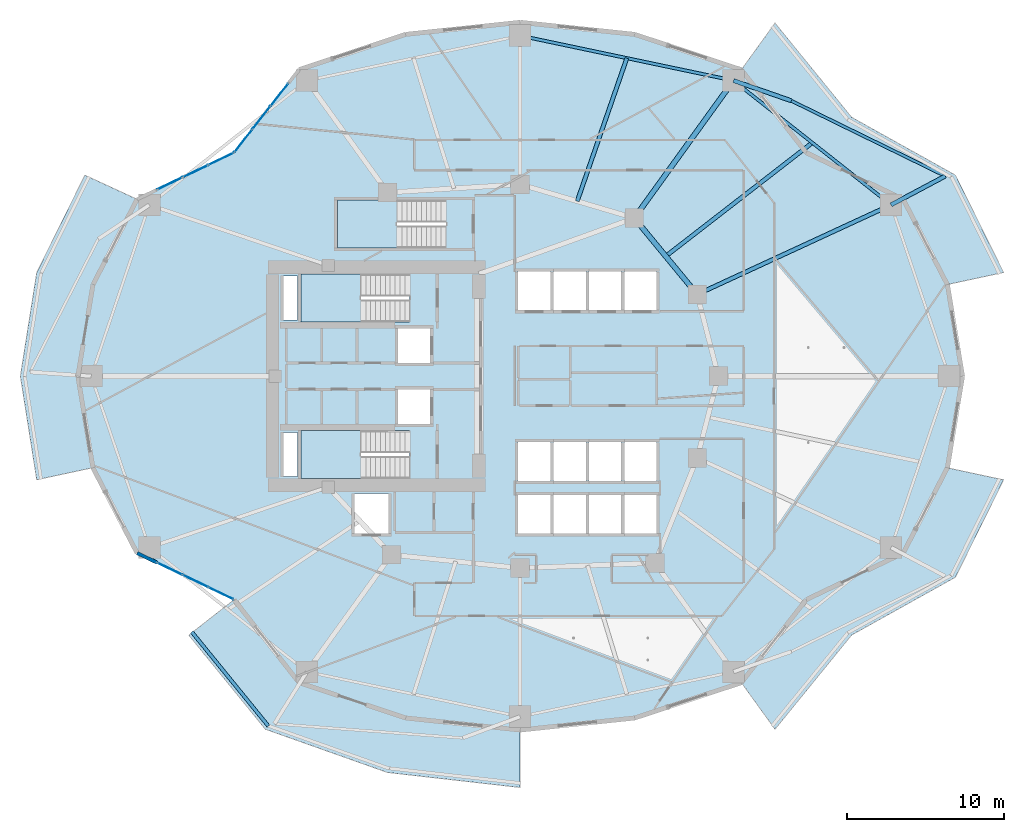
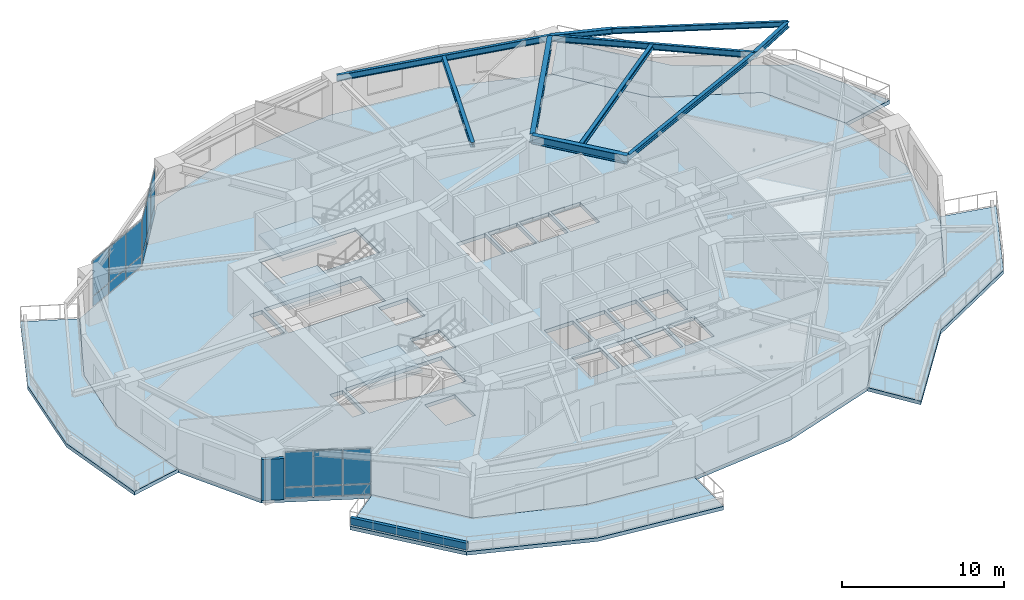
# One storey, part 5 of 19: 21 plates, 10 beams, 8 slabs, 2 walls, 6 elements without a shape of their own.
"""IFC4 building model written with IfcOpenShell, lengths in metres."""

from ifc_helpers import new_model, si_unit, direction, frame, frame_2d, origin, origin_2d, place, context, subcontext, project, spatial, polyline, rectangle, i_section, outline, extrude, material, layer, layer_set, material_profile, profile_set, type_object, element, aggregate, save


model = new_model("IFC4")

# Units and contexts
model_context = context("Model", 3, precision=1e-05, world=origin(), true_north=direction((0.0, 1.0)))
body_context = subcontext(model_context, "Body", "Model", "MODEL_VIEW")
ifc_project = project(units=[si_unit("LENGTHUNIT", "METRE"), si_unit("AREAUNIT", "SQUARE_METRE"), si_unit("VOLUMEUNIT", "CUBIC_METRE"), si_unit("PLANEANGLEUNIT", "RADIAN"), si_unit("MASSUNIT", "GRAM", prefix="KILO")], contexts=[model_context])

# Site, building, storey
site_placement = place(None, origin())
site = spatial("IfcSite", under=ifc_project, at=site_placement, CompositionType="ELEMENT")
building_placement = place(site_placement, origin())
building = spatial("IfcBuilding", under=site, at=building_placement, Name="Kolvaren Gate Tower and Convention Centre", CompositionType="ELEMENT")
storey_placement = place(building_placement, frame((0.0, 0.0, 38.050048828125)))
storey = spatial("IfcBuildingStorey", under=building, at=storey_placement, Name="L08", CompositionType="ELEMENT", Elevation=38.050048828125)

# Beams
ifc_material_1 = material(Name="Structural steel ASTM A992 Grade 345 MPa", Category="steel")
ifc_material_profile_1 = material_profile(ifc_material_1, i_section(OverallWidth=0.260009765625, OverallDepth=0.419921875, WebThickness=0.013427734375, FlangeThickness=0.0224609375, at=origin_2d()), Name="W410X132")
ifc_profile_set_1 = profile_set([ifc_material_profile_1], Name="Structural steel ASTM A992 Grade 345 MPa")
beam_type_1 = type_object("IfcBeamType", Name="STR-BM-W410X132", PredefinedType="BEAM", material=ifc_profile_set_1)
beam_1_placement = place(storey_placement, frame((53.710205078125, 37.8935546875, 3.3603515625), z_axis=(0.882875702385, 0.469606744136, 0.0), x_axis=(-0.469606744136, 0.882875702385, 0.0)))
element("IfcBeam", 1, at=beam_1_placement, inside=storey, type_object=beam_type_1, Name="Tower L09 Planted Balcony Outrigger Cantilever BC-1A", PredefinedType="BEAM", context=body_context, shape_type="SweptSolid", body=[
    extrude(i_section(OverallWidth=0.260009765625, OverallDepth=0.419921875, WebThickness=0.013427734375, FlangeThickness=0.0224609375, at=origin_2d()), origin(), (0.0, 0.0, 1.0), 3.900146484375),
])
beam_2_placement = place(storey_placement, frame((43.690185546875, 45.79638671875, 3.3603515625), z_axis=(0.943988090262, -0.329979522765, 0.0), x_axis=(0.329979522765, 0.943988090262, 0.0)))
element("IfcBeam", 2, at=beam_2_placement, inside=storey, type_object=beam_type_1, Name="Tower L09 Planted Balcony Outrigger Cantilever BC-1B", PredefinedType="BEAM", context=body_context, shape_type="SweptSolid", body=[
    extrude(i_section(OverallWidth=0.260009765625, OverallDepth=0.419921875, WebThickness=0.013427734375, FlangeThickness=0.0224609375, at=origin_2d()), origin(), (0.0, 0.0, 1.0), 3.89990234375),
])
ifc_material_profile_2 = material_profile(ifc_material_1, i_section(OverallWidth=0.327880859375, OverallDepth=0.6279296875, WebThickness=0.0166015625, FlangeThickness=0.027587890625, at=origin_2d()), Name="W610X217")
ifc_profile_set_2 = profile_set([ifc_material_profile_2], Name="Structural steel ASTM A992 Grade 345 MPa")
beam_type_2 = type_object("IfcBeamType", Name="STR-BM-W610X217", PredefinedType="BEAM", material=ifc_profile_set_2)
beam_3_placement = place(storey_placement, frame((41.382080078125, 32.199462890625, 3.255859375), z_axis=(-0.635884066011, 0.771784590798, 0.0), x_axis=(-0.771784590798, -0.635884066011, 0.0)))
element("IfcBeam", 3, at=beam_3_placement, inside=storey, type_object=beam_type_2, Name="Tower L08 Primary Ring Girder G-02", PredefinedType="BEAM", context=body_context, shape_type="SweptSolid", body=[
    extrude(i_section(OverallWidth=0.327880859375, OverallDepth=0.6279296875, WebThickness=0.0166015625, FlangeThickness=0.027587890625, at=origin_2d()), origin(), (0.0, 0.0, 1.0), 6.291259765625),
])
beam_4_placement = place(storey_placement, frame((37.381591796875, 37.054931640625, 3.255859375), z_axis=(0.585205244783, 0.81088520857, 0.0), x_axis=(-0.81088520857, 0.585205244783, 0.0)))
element("IfcBeam", 4, at=beam_4_placement, inside=storey, type_object=beam_type_2, Name="Tower L08 Radial Floor Girder RB-03", PredefinedType="BEAM", context=body_context, shape_type="SweptSolid", body=[
    extrude(i_section(OverallWidth=0.327880859375, OverallDepth=0.6279296875, WebThickness=0.0166015625, FlangeThickness=0.027587890625, at=origin_2d()), origin(), (0.0, 0.0, 1.0), 10.780029296875),
])
ifc_material_profile_3 = material_profile(ifc_material_1, i_section(OverallWidth=0.2548828125, OverallDepth=0.35693359375, WebThickness=0.010498046875, FlangeThickness=0.018310546875, at=origin_2d()), Name="W360X101")
ifc_profile_set_3 = profile_set([ifc_material_profile_3], Name="Structural steel ASTM A992 Grade 345 MPa")
beam_type_3 = type_object("IfcBeamType", Name="STR-JS-W360X101", PredefinedType="JOIST", material=ifc_profile_set_3)
beam_5_placement = place(storey_placement, frame((41.382080078125, 32.199462890625, 3.391357421875), z_axis=(0.907842006347, 0.419312403241, 0.0), x_axis=(-0.419312403241, 0.907842006347, 0.0)))
element("IfcBeam", 5, at=beam_5_placement, inside=storey, type_object=beam_type_3, Name="Tower L08 Radial Floor Girder RB-02", PredefinedType="JOIST", context=body_context, shape_type="SweptSolid", body=[
    extrude(i_section(OverallWidth=0.2548828125, OverallDepth=0.35693359375, WebThickness=0.010498046875, FlangeThickness=0.018310546875, at=origin_2d()), origin(), (0.0, 0.0, 1.0), 13.57958984375),
])
beam_6_placement = place(storey_placement, frame((39.3818359375, 34.627197265625, 3.391357421875), z_axis=(0.790577493994, 0.612362005671, 0.0), x_axis=(-0.612362005671, 0.790577493994, 0.0)))
element("IfcBeam", 6, at=beam_6_placement, inside=storey, type_object=beam_type_3, Name="Tower L08 Secondary Composite Floor Joist J-02.1", PredefinedType="JOIST", context=body_context, shape_type="SweptSolid", body=[
    extrude(i_section(OverallWidth=0.2548828125, OverallDepth=0.35693359375, WebThickness=0.010498046875, FlangeThickness=0.018310546875, at=origin_2d()), origin(), (0.0, 0.0, 1.0), 11.786865234375),
])
beam_7_placement = place(storey_placement, frame((33.75341796875, 38.12744140625, 3.391357421875), z_axis=(0.327647050942, 0.944800195813, 0.0), x_axis=(-0.944800195813, 0.327647050942, 0.0)))
element("IfcBeam", 7, at=beam_7_placement, inside=storey, type_object=beam_type_3, Name="Tower L08 Secondary Composite Floor Joist J-03.1", PredefinedType="JOIST", context=body_context, shape_type="SweptSolid", body=[
    extrude(i_section(OverallWidth=0.2548828125, OverallDepth=0.35693359375, WebThickness=0.010498046875, FlangeThickness=0.018310546875, at=origin_2d()), origin(), (0.0, 0.0, 1.0), 9.627197265625),
])
ifc_material_profile_4 = material_profile(ifc_material_1, i_section(OverallWidth=0.180908203125, OverallDepth=0.4169921875, WebThickness=0.010986328125, FlangeThickness=0.018310546875, at=origin_2d()), Name="W410X85")
ifc_profile_set_4 = profile_set([ifc_material_profile_4], Name="Structural steel ASTM A992 Grade 345 MPa")
beam_type_4 = type_object("IfcBeamType", Name="STR-SP-W410X85", PredefinedType="SPANDREL", material=ifc_profile_set_4)
beam_8_placement = place(storey_placement, frame((57.153564453125, 39.72509765625, 3.362060546875), z_axis=(-0.898307480686, 0.43936735216, 0.0), x_axis=(-0.43936735216, -0.898307480686, 0.0)))
element("IfcBeam", 8, at=beam_8_placement, inside=storey, type_object=beam_type_4, Name="Tower L09 Planted Balcony Header Tie Beam BT-1", PredefinedType="SPANDREL", context=body_context, shape_type="SweptSolid", body=[
    extrude(i_section(OverallWidth=0.180908203125, OverallDepth=0.4169921875, WebThickness=0.010986328125, FlangeThickness=0.018310546875, at=origin_2d()), origin(), (0.0, 0.0, 1.0), 10.889404296875),
])
ifc_material_profile_5 = material_profile(ifc_material_1, i_section(OverallWidth=0.194091796875, OverallDepth=0.468994140625, WebThickness=0.0126953125, FlangeThickness=0.0205078125, at=origin_2d()), Name="W460X106")
ifc_profile_set_5 = profile_set([ifc_material_profile_5], Name="Structural steel ASTM A992 Grade 345 MPa")
beam_type_5 = type_object("IfcBeamType", Name="STR-SP-W460X106", PredefinedType="SPANDREL", material=ifc_profile_set_5)
beam_9_placement = place(storey_placement, frame((53.710205078125, 37.8935546875, 3.33544921875), z_axis=(-0.785176498861, 0.619272044933, 0.0), x_axis=(-0.619272044933, -0.785176498861, 0.0)))
element("IfcBeam", 9, at=beam_9_placement, inside=storey, type_object=beam_type_5, Name="Tower L08 Perimeter Spandrel Beam SP-02", PredefinedType="SPANDREL", context=body_context, shape_type="SweptSolid", body=[
    extrude(i_section(OverallWidth=0.194091796875, OverallDepth=0.468994140625, WebThickness=0.0126953125, FlangeThickness=0.0205078125, at=origin_2d()), origin(), (0.0, 0.0, 1.0), 12.761474609375),
])
beam_10_placement = place(storey_placement, frame((43.690185546875, 45.79638671875, 3.33544921875), z_axis=(-0.978583407863, 0.205850707685, 0.0), x_axis=(-0.205850707685, -0.978583407863, 0.0)))
element("IfcBeam", 10, at=beam_10_placement, inside=storey, type_object=beam_type_5, Name="Tower L08 Perimeter Spandrel Beam SP-03", PredefinedType="SPANDREL", context=body_context, shape_type="SweptSolid", body=[
    extrude(i_section(OverallWidth=0.194091796875, OverallDepth=0.468994140625, WebThickness=0.0126953125, FlangeThickness=0.0205078125, at=origin_2d()), origin(), (0.0, 0.0, 1.0), 13.862060546875),
])

# Plates
ifc_material_2 = material(Name="Perforated Anodized Bronze Aluminium Sheet 6 mm", Category="aluminium")
ifc_layer_1 = layer(ifc_material_2, 0.011962890625)
ifc_layer_set_1 = layer_set([ifc_layer_1], Name="Perforated Anodized Bronze Aluminium Sheet 6 mm")
plate_type_1 = type_object("IfcPlateType", Name="ARCH-PL-SCREEN-PERF", PredefinedType="SHEET", material=ifc_layer_set_1)
for number, where, z_axis, x_axis, name in (
    (11, (13.99853515625, 43.84912109375, 2.72998046875), (0.0, 0.0, 1.0), (0.616424499081, 0.787414018756, 0.0), "Tower L08 Perforated Bronze Solar Screen SS-08"),
    (12, (8.851318359375, 39.7314453125, 2.72998046875), (0.0, 0.0, 1.0), (0.90136443672, 0.433061372343, 0.0), "Tower L08 Perforated Bronze Solar Screen SS-09"),
    (13, (8.851318359375, 14.2685546875, 2.72998046875), (0.0, 0.0, 1.0), (0.90136443672, -0.433061372343, 0.0), "Tower L08 Perforated Bronze Solar Screen SS-14"),
):
    element("IfcPlate", number, at=place(storey_placement, frame(where, z_axis=z_axis, x_axis=x_axis)), inside=storey, type_object=plate_type_1, Name=name, PredefinedType="SHEET", context=body_context, shape_type="SweptSolid", body=[
        extrude(rectangle(XDim=2.60009765625, YDim=0.011962890625, at=origin_2d()), origin(), (0.0, 0.0, 1.0), 0.840087890625),
    ])

# Curtain wall, plates
ifc_material_3 = material(Name="Anodized Architectural Aluminium Alloy 6063-T6", Category="aluminium")
ifc_layer_2 = layer(ifc_material_3, 0.159912109375)
ifc_layer_set_2 = layer_set([ifc_layer_2], Name="Anodized Architectural Aluminium Alloy 6063-T6")
curtain_wall_type = type_object("IfcCurtainWallType", Name="CW-OFF-UNIT", PredefinedType="NOTDEFINED", material=ifc_layer_set_2)
curtain_wall_1_placement = place(storey_placement, origin())
curtain_wall_1 = element("IfcCurtainWall", 14, at=curtain_wall_1_placement, inside=storey, type_object=curtain_wall_type, Name="Tower L08 Unitised Curtain Wall CW-OFF-UNIT Bay 08", PredefinedType="NOTDEFINED")
ifc_material_4 = material(Name="Low-E Triple Insulated Glazing Unit 44 mm", Category="glass")
ifc_layer_3 = layer(ifc_material_4, 0.0439453125)
ifc_layer_set_3 = layer_set([ifc_layer_3], Name="Low-E Triple Insulated Glazing Unit 44 mm")
plate_type_2 = type_object("IfcPlateType", Name="CW-PL-IGU-44", PredefinedType="CURTAIN_PANEL", material=ifc_layer_set_3)
plate_1_placement = place(storey_placement, frame((12.522216796875, 41.963134765625, 0.88232421875), z_axis=(0.0, 0.0, 1.0), x_axis=(0.616421003276, 0.787416755422, 0.0)))
plate_1 = element("IfcPlate", 15, at=plate_1_placement, type_object=plate_type_2, Name="CW-02 panel 1.2", PredefinedType="CURTAIN_PANEL", context=body_context, shape_type="SweptSolid", body=[
    extrude(rectangle(XDim=1.77587890625, YDim=0.0439453125, at=origin_2d()), origin(), (0.0, 0.0, 1.0), 2.62255859375),
])
plate_2_placement = place(storey_placement, frame((13.666748046875, 43.425537109375, 0.88232421875), z_axis=(0.0, 0.0, 1.0), x_axis=(0.616421003276, 0.787416755422, 0.0)))
plate_2 = element("IfcPlate", 16, at=plate_2_placement, type_object=plate_type_2, Name="CW-02 panel 2.2", PredefinedType="CURTAIN_PANEL", context=body_context, shape_type="SweptSolid", body=[
    extrude(rectangle(XDim=1.808349609375, YDim=0.0439453125, at=origin_2d()), origin(), (0.0, 0.0, 1.0), 2.62255859375),
])
plate_3_placement = place(storey_placement, frame((14.8115234375, 44.8876953125, 0.88232421875), z_axis=(0.0, 0.0, 1.0), x_axis=(0.616421003276, 0.787416755422, 0.0)))
plate_3 = element("IfcPlate", 17, at=plate_3_placement, type_object=plate_type_2, Name="CW-02 panel 3.2", PredefinedType="CURTAIN_PANEL", context=body_context, shape_type="SweptSolid", body=[
    extrude(rectangle(XDim=1.77587890625, YDim=0.0439453125, at=origin_2d()), origin(), (0.0, 0.0, 1.0), 2.62255859375),
])

curtain_wall_2_placement = place(storey_placement, origin())
curtain_wall_2 = element("IfcCurtainWall", 18, at=curtain_wall_2_placement, inside=storey, type_object=curtain_wall_type, Name="Tower L08 Unitised Curtain Wall CW-OFF-UNIT Bay 09", PredefinedType="NOTDEFINED")
plate_4_placement = place(storey_placement, frame((7.84765625, 39.249267578125, 0.88232421875), z_axis=(0.0, 0.0, 1.0), x_axis=(0.901366679942, 0.433056703319, 0.0)))
plate_4 = element("IfcPlate", 19, at=plate_4_placement, type_object=plate_type_2, Name="CW-02 panel 1.2", PredefinedType="CURTAIN_PANEL", context=body_context, shape_type="SweptSolid", body=[
    extrude(rectangle(XDim=1.72265625, YDim=0.0439453125, at=origin_2d()), origin(), (0.0, 0.0, 1.0), 2.62255859375),
])
plate_5_placement = place(storey_placement, frame((9.4736328125, 40.030517578125, 0.88232421875), z_axis=(0.0, 0.0, 1.0), x_axis=(0.901366679942, 0.433056703319, 0.0)))
plate_5 = element("IfcPlate", 20, at=plate_5_placement, type_object=plate_type_2, Name="CW-02 panel 2.2", PredefinedType="CURTAIN_PANEL", context=body_context, shape_type="SweptSolid", body=[
    extrude(rectangle(XDim=1.755126953125, YDim=0.0439453125, at=origin_2d()), origin(), (0.0, 0.0, 1.0), 2.62255859375),
])
plate_6_placement = place(storey_placement, frame((11.099853515625, 40.811767578125, 0.88232421875), z_axis=(0.0, 0.0, 1.0), x_axis=(0.901366679942, 0.433056703319, 0.0)))
plate_6 = element("IfcPlate", 21, at=plate_6_placement, type_object=plate_type_2, Name="CW-02 panel 3.2", PredefinedType="CURTAIN_PANEL", context=body_context, shape_type="SweptSolid", body=[
    extrude(rectangle(XDim=1.72265625, YDim=0.0439453125, at=origin_2d()), origin(), (0.0, 0.0, 1.0), 2.62255859375),
])

curtain_wall_3_placement = place(storey_placement, origin())
curtain_wall_3 = element("IfcCurtainWall", 22, at=curtain_wall_3_placement, inside=storey, type_object=curtain_wall_type, Name="Tower L08 Unitised Curtain Wall CW-OFF-UNIT Bay 14", PredefinedType="NOTDEFINED")
plate_7_placement = place(storey_placement, frame((7.84765625, 14.750732421875, 0.88232421875), z_axis=(0.0, 0.0, 1.0), x_axis=(0.901366679942, -0.433056703319, 0.0)))
plate_7 = element("IfcPlate", 23, at=plate_7_placement, type_object=plate_type_2, Name="CW-02 panel 1.2", PredefinedType="CURTAIN_PANEL", context=body_context, shape_type="SweptSolid", body=[
    extrude(rectangle(XDim=1.72265625, YDim=0.0439453125, at=origin_2d()), origin(), (0.0, 0.0, 1.0), 2.62255859375),
])
plate_8_placement = place(storey_placement, frame((9.4736328125, 13.969482421875, 0.88232421875), z_axis=(0.0, 0.0, 1.0), x_axis=(0.901366679942, -0.433056703319, 0.0)))
plate_8 = element("IfcPlate", 24, at=plate_8_placement, type_object=plate_type_2, Name="CW-02 panel 2.2", PredefinedType="CURTAIN_PANEL", context=body_context, shape_type="SweptSolid", body=[
    extrude(rectangle(XDim=1.755126953125, YDim=0.0439453125, at=origin_2d()), origin(), (0.0, 0.0, 1.0), 2.62255859375),
])
plate_9_placement = place(storey_placement, frame((11.099853515625, 13.188232421875, 0.88232421875), z_axis=(0.0, 0.0, 1.0), x_axis=(0.901366679942, -0.433056703319, 0.0)))
plate_9 = element("IfcPlate", 25, at=plate_9_placement, type_object=plate_type_2, Name="CW-02 panel 3.2", PredefinedType="CURTAIN_PANEL", context=body_context, shape_type="SweptSolid", body=[
    extrude(rectangle(XDim=1.72265625, YDim=0.0439453125, at=origin_2d()), origin(), (0.0, 0.0, 1.0), 2.62255859375),
])

# Plate
ifc_material_5 = material(Name="Solar-Control Laminated Curtain Glazing 36 mm", Category="glass")
ifc_layer_4 = layer(ifc_material_5, 0.035888671875)
ifc_layer_set_4 = layer_set([ifc_layer_4], Name="Solar-Control Laminated Curtain Glazing 36 mm")
plate_type_3 = type_object("IfcPlateType", Name="CW-PL-SPAN-36", PredefinedType="CURTAIN_PANEL", material=ifc_layer_set_4)
plate_10_placement = place(storey_placement, frame((12.522216796875, 41.963134765625, 0.06494140625), z_axis=(0.0, 0.0, 1.0), x_axis=(0.616421003276, 0.787416755422, 0.0)))
plate_10 = element("IfcPlate", 26, at=plate_10_placement, type_object=plate_type_3, Name="CW-02 panel 1.1", PredefinedType="CURTAIN_PANEL", context=body_context, shape_type="SweptSolid", body=[
    extrude(rectangle(XDim=1.77587890625, YDim=0.035888671875, at=origin_2d()), origin(), (0.0, 0.0, 1.0), 0.75244140625),
])

plate_11_placement = place(storey_placement, frame((13.666748046875, 43.425537109375, 0.06494140625), z_axis=(0.0, 0.0, 1.0), x_axis=(0.616421003276, 0.787416755422, 0.0)))
plate_11 = element("IfcPlate", 27, at=plate_11_placement, type_object=plate_type_3, Name="CW-02 panel 2.1", PredefinedType="CURTAIN_PANEL", context=body_context, shape_type="SweptSolid", body=[
    extrude(rectangle(XDim=1.808349609375, YDim=0.035888671875, at=origin_2d()), origin(), (0.0, 0.0, 1.0), 0.75244140625),
])

plate_12_placement = place(storey_placement, frame((14.8115234375, 44.8876953125, 0.06494140625), z_axis=(0.0, 0.0, 1.0), x_axis=(0.616421003276, 0.787416755422, 0.0)))
plate_12 = element("IfcPlate", 28, at=plate_12_placement, type_object=plate_type_3, Name="CW-02 panel 3.1", PredefinedType="CURTAIN_PANEL", context=body_context, shape_type="SweptSolid", body=[
    extrude(rectangle(XDim=1.77587890625, YDim=0.035888671875, at=origin_2d()), origin(), (0.0, 0.0, 1.0), 0.75244140625),
])

aggregate(curtain_wall_1, [plate_10, plate_1, plate_11, plate_2, plate_12, plate_3])

plate_13_placement = place(storey_placement, frame((7.84765625, 39.249267578125, 0.06494140625), z_axis=(0.0, 0.0, 1.0), x_axis=(0.901366679942, 0.433056703319, 0.0)))
plate_13 = element("IfcPlate", 29, at=plate_13_placement, type_object=plate_type_3, Name="CW-02 panel 1.1", PredefinedType="CURTAIN_PANEL", context=body_context, shape_type="SweptSolid", body=[
    extrude(rectangle(XDim=1.72265625, YDim=0.035888671875, at=origin_2d()), origin(), (0.0, 0.0, 1.0), 0.75244140625),
])

plate_14_placement = place(storey_placement, frame((9.4736328125, 40.030517578125, 0.06494140625), z_axis=(0.0, 0.0, 1.0), x_axis=(0.901366679942, 0.433056703319, 0.0)))
plate_14 = element("IfcPlate", 30, at=plate_14_placement, type_object=plate_type_3, Name="CW-02 panel 2.1", PredefinedType="CURTAIN_PANEL", context=body_context, shape_type="SweptSolid", body=[
    extrude(rectangle(XDim=1.755126953125, YDim=0.035888671875, at=origin_2d()), origin(), (0.0, 0.0, 1.0), 0.75244140625),
])

plate_15_placement = place(storey_placement, frame((11.099853515625, 40.811767578125, 0.06494140625), z_axis=(0.0, 0.0, 1.0), x_axis=(0.901366679942, 0.433056703319, 0.0)))
plate_15 = element("IfcPlate", 31, at=plate_15_placement, type_object=plate_type_3, Name="CW-02 panel 3.1", PredefinedType="CURTAIN_PANEL", context=body_context, shape_type="SweptSolid", body=[
    extrude(rectangle(XDim=1.72265625, YDim=0.035888671875, at=origin_2d()), origin(), (0.0, 0.0, 1.0), 0.75244140625),
])

aggregate(curtain_wall_2, [plate_13, plate_4, plate_14, plate_5, plate_15, plate_6])

plate_16_placement = place(storey_placement, frame((7.84765625, 14.750732421875, 0.06494140625), z_axis=(0.0, 0.0, 1.0), x_axis=(0.901366679942, -0.433056703319, 0.0)))
plate_16 = element("IfcPlate", 32, at=plate_16_placement, type_object=plate_type_3, Name="CW-02 panel 1.1", PredefinedType="CURTAIN_PANEL", context=body_context, shape_type="SweptSolid", body=[
    extrude(rectangle(XDim=1.72265625, YDim=0.035888671875, at=origin_2d()), origin(), (0.0, 0.0, 1.0), 0.75244140625),
])

plate_17_placement = place(storey_placement, frame((9.4736328125, 13.969482421875, 0.06494140625), z_axis=(0.0, 0.0, 1.0), x_axis=(0.901366679942, -0.433056703319, 0.0)))
plate_17 = element("IfcPlate", 33, at=plate_17_placement, type_object=plate_type_3, Name="CW-02 panel 2.1", PredefinedType="CURTAIN_PANEL", context=body_context, shape_type="SweptSolid", body=[
    extrude(rectangle(XDim=1.755126953125, YDim=0.035888671875, at=origin_2d()), origin(), (0.0, 0.0, 1.0), 0.75244140625),
])

plate_18_placement = place(storey_placement, frame((11.099853515625, 13.188232421875, 0.06494140625), z_axis=(0.0, 0.0, 1.0), x_axis=(0.901366679942, -0.433056703319, 0.0)))
plate_18 = element("IfcPlate", 34, at=plate_18_placement, type_object=plate_type_3, Name="CW-02 panel 3.1", PredefinedType="CURTAIN_PANEL", context=body_context, shape_type="SweptSolid", body=[
    extrude(rectangle(XDim=1.72265625, YDim=0.035888671875, at=origin_2d()), origin(), (0.0, 0.0, 1.0), 0.75244140625),
])

aggregate(curtain_wall_3, [plate_16, plate_7, plate_17, plate_8, plate_18, plate_9])

# Slabs
ifc_material_6 = material(Name="Concrete C50/60", Category="concrete")
ifc_layer_5 = layer(ifc_material_6, 0.27001953125)
ifc_layer_set_5 = layer_set([ifc_layer_5], Name="Concrete C50/60")
slab_type_1 = type_object("IfcSlabType", Name="STR-SL-BALC-270", PredefinedType="FLOOR", material=ifc_layer_set_5)
slab_1_placement = place(storey_placement, frame((0.0, 0.0, -0.27001953125)))
element("IfcSlab", 35, at=slab_1_placement, inside=storey, type_object=slab_type_1, Name="Tower L08 Planted Balcony Terrace Slab 1 (East)", PredefinedType="FLOOR", context=body_context, shape_type="SweptSolid", body=[
    extrude(outline(polyline([(57.291748046875, 32.823486328125), (54.48193359375, 38.25), (48.315185546875, 41.212890625), (44.1875, 46.485595703125), (46.329345703125, 49.453369140625), (51.19921875, 43.46630859375), (57.8046875, 39.78466796875), (60.870361328125, 33.590576171875), (57.291748046875, 32.823486328125)])), origin(), (0.0, 0.0, 1.0), 0.27001953125),
])
slab_2_placement = place(storey_placement, frame((0.0, 0.0, -0.27001953125)))
element("IfcSlab", 36, at=slab_2_placement, inside=storey, type_object=slab_type_1, Name="Tower L08 Planted Balcony Terrace Slab 2 (West)", PredefinedType="FLOOR", context=body_context, shape_type="SweptSolid", body=[
    extrude(outline(polyline([(5.76806640625, 38.25), (2.958251953125, 32.823486328125), (2.0, 27.0), (2.958251953125, 21.176513671875), (-0.620361328125, 20.409423828125), (-1.659912109375, 27.0), (-0.620361328125, 33.590576171875), (2.4453125, 39.78466796875), (5.76806640625, 38.25)])), origin(), (0.0, 0.0, 1.0), 0.27001953125),
])
slab_3_placement = place(storey_placement, frame((0.0, 0.0, -0.27001953125)))
element("IfcSlab", 37, at=slab_3_placement, inside=storey, type_object=slab_type_1, Name="Tower L08 Planted Balcony Terrace Slab 3 (South)", PredefinedType="FLOOR", context=body_context, shape_type="SweptSolid", body=[
    extrude(outline(polyline([(11.934814453125, 12.787109375), (16.0625, 7.514404296875), (22.845703125, 5.2666015625), (30.125, 4.5), (30.125, 0.840087890625), (21.683349609375, 1.796142578125), (13.920654296875, 4.546630859375), (9.05078125, 10.53369140625), (11.934814453125, 12.787109375)])), origin(), (0.0, 0.0, 1.0), 0.27001953125),
])
slab_4_placement = place(storey_placement, frame((0.0, 0.0, -0.27001953125)))
element("IfcSlab", 38, at=slab_4_placement, inside=storey, type_object=slab_type_1, Name="Tower L08 Planted Balcony Terrace Slab 4 (East)", PredefinedType="FLOOR", context=body_context, shape_type="SweptSolid", body=[
    extrude(outline(polyline([(44.1875, 7.514404296875), (48.315185546875, 12.787109375), (54.48193359375, 15.75), (57.291748046875, 21.176513671875), (60.870361328125, 20.409423828125), (57.8046875, 14.21533203125), (51.19921875, 10.53369140625), (46.329345703125, 4.546630859375), (44.1875, 7.514404296875)])), origin(), (0.0, 0.0, 1.0), 0.27001953125),
])
ifc_layer_6 = layer(ifc_material_6, 0.280029296875)
ifc_layer_set_6 = layer_set([ifc_layer_6], Name="Concrete C50/60")
slab_type_2 = type_object("IfcSlabType", Name="STR-SL-FLR-280", PredefinedType="FLOOR", material=ifc_layer_set_6)
slab_5_placement = place(storey_placement, frame((0.0, 0.0, -0.280029296875)))
element("IfcSlab", 39, at=slab_5_placement, inside=storey, type_object=slab_type_2, Name="Tower L08 Structural Floor Slab", PredefinedType="FLOOR", context=body_context, shape_type="SweptSolid", body=[
    extrude(outline(polyline([(58.25, 27.0), (57.291748046875, 32.823486328125), (54.48193359375, 38.25), (48.315185546875, 41.212890625), (44.1875, 46.485595703125), (37.404296875, 48.7333984375), (30.125, 49.5), (22.845703125, 48.7333984375), (16.0625, 46.485595703125), (11.934814453125, 41.212890625), (5.76806640625, 38.25), (2.958251953125, 32.823486328125), (2.0, 27.0), (2.958251953125, 21.176513671875), (5.76806640625, 15.75), (11.934814453125, 12.787109375), (16.0625, 7.514404296875), (22.845703125, 5.2666015625), (30.125, 4.5), (37.404296875, 5.2666015625), (44.1875, 7.514404296875), (48.315185546875, 12.787109375), (54.48193359375, 15.75), (57.291748046875, 21.176513671875), (58.25, 27.0)]), holes=[polyline([(36.75, 33.64990234375), (38.800048828125, 33.64990234375), (38.800048828125, 31.199951171875), (36.75, 31.199951171875), (36.75, 33.64990234375)]), polyline([(36.75, 20.35009765625), (36.75, 22.800048828125), (38.800048828125, 22.800048828125), (38.800048828125, 20.35009765625), (36.75, 20.35009765625)]), polyline([(36.75, 17.0), (36.75, 19.449951171875), (38.800048828125, 19.449951171875), (38.800048828125, 17.0), (36.75, 17.0)]), polyline([(34.5, 33.64990234375), (36.550048828125, 33.64990234375), (36.550048828125, 31.199951171875), (34.5, 31.199951171875), (34.5, 33.64990234375)]), polyline([(34.5, 22.800048828125), (36.550048828125, 22.800048828125), (36.550048828125, 20.35009765625), (34.5, 20.35009765625), (34.5, 22.800048828125)]), polyline([(34.5, 17.0), (34.5, 19.449951171875), (36.550048828125, 19.449951171875), (36.550048828125, 17.0), (34.5, 17.0)]), polyline([(32.25, 31.199951171875), (32.25, 33.64990234375), (34.300048828125, 33.64990234375), (34.300048828125, 31.199951171875), (32.25, 31.199951171875)]), polyline([(32.25, 22.800048828125), (34.300048828125, 22.800048828125), (34.300048828125, 20.35009765625), (32.25, 20.35009765625), (32.25, 22.800048828125)]), polyline([(32.25, 17.0), (32.25, 19.449951171875), (34.300048828125, 19.449951171875), (34.300048828125, 17.0), (32.25, 17.0)]), polyline([(30.0, 31.199951171875), (30.0, 33.64990234375), (32.050048828125, 33.64990234375), (32.050048828125, 31.199951171875), (30.0, 31.199951171875)]), polyline([(30.0, 20.35009765625), (30.0, 22.800048828125), (32.050048828125, 22.800048828125), (32.050048828125, 20.35009765625), (30.0, 20.35009765625)]), polyline([(30.0, 17.0), (30.0, 19.449951171875), (32.050048828125, 19.449951171875), (32.050048828125, 17.0), (30.0, 17.0)]), polyline([(25.39990234375, 35.159912109375), (18.5, 35.159912109375), (18.5, 38.199951171875), (25.39990234375, 38.199951171875), (25.39990234375, 35.159912109375)]), polyline([(22.35009765625, 27.840087890625), (22.35009765625, 30.0400390625), (24.39990234375, 30.0400390625), (24.39990234375, 27.840087890625), (22.35009765625, 27.840087890625)]), polyline([(22.35009765625, 23.9599609375), (22.35009765625, 26.159912109375), (24.39990234375, 26.159912109375), (24.39990234375, 23.9599609375), (22.35009765625, 23.9599609375)]), polyline([(23.10009765625, 30.4599609375), (16.199951171875, 30.4599609375), (16.199951171875, 33.5), (23.10009765625, 33.5), (23.10009765625, 30.4599609375)]), polyline([(23.10009765625, 20.5), (16.199951171875, 20.5), (16.199951171875, 23.5400390625), (23.10009765625, 23.5400390625), (23.10009765625, 20.5)]), polyline([(19.60009765625, 17.0), (19.60009765625, 19.550048828125), (21.75, 19.550048828125), (21.75, 17.0), (19.60009765625, 17.0)]), polyline([(15.080078125, 23.419921875), (15.969970703125, 23.419921875), (15.969970703125, 20.6298828125), (15.080078125, 20.6298828125), (15.080078125, 23.419921875)]), polyline([(15.080078125, 30.580078125), (15.080078125, 33.3701171875), (15.969970703125, 33.3701171875), (15.969970703125, 30.580078125), (15.080078125, 30.580078125)])]), origin(), (0.0, 0.0, 1.0), 0.280029296875),
])

# Stair, slab
stair_type = type_object("IfcStairType", Name="STR-STAIR-CORE", PredefinedType="HALF_TURN_STAIR", material=ifc_material_6)
stair_1_placement = place(storey_placement, origin())
stair_1 = element("IfcStair", 40, at=stair_1_placement, inside=storey, type_object=stair_type, Name="L08 Tower North Exit Stair ST-T1", PredefinedType="HALF_TURN_STAIR")
ifc_layer_7 = layer(ifc_material_6, 0.199951171875)
ifc_layer_set_7 = layer_set([ifc_layer_7], Name="Concrete C50/60")
slab_type_3 = type_object("IfcSlabType", Name="STR-SL-LAND-200", PredefinedType="LANDING", material=ifc_layer_set_7)
slab_6_placement = place(storey_placement, frame((0.0, 0.0, 1.724853515625)))
slab_6 = element("IfcSlab", 41, at=slab_6_placement, type_object=slab_type_3, Name="ST-T1 landing 1", PredefinedType="LANDING", context=body_context, shape_type="SweptSolid", body=[
    extrude(outline(polyline([(20.0, 33.5), (16.199951171875, 33.5), (16.199951171875, 30.4599609375), (20.0, 30.4599609375), (20.0, 33.5)])), origin(), (0.0, 0.0, 1.0), 0.2001953125),
])
aggregate(stair_1, [slab_6])

stair_2_placement = place(storey_placement, origin())
stair_2 = element("IfcStair", 42, at=stair_2_placement, inside=storey, type_object=stair_type, Name="L08 Tower South Exit Stair ST-T2", PredefinedType="HALF_TURN_STAIR")
slab_7_placement = place(storey_placement, frame((0.0, 0.0, 1.724853515625)))
slab_7 = element("IfcSlab", 43, at=slab_7_placement, type_object=slab_type_3, Name="ST-T2 landing 1", PredefinedType="LANDING", context=body_context, shape_type="SweptSolid", body=[
    extrude(outline(polyline([(20.0, 23.5400390625), (16.199951171875, 23.5400390625), (16.199951171875, 20.5), (20.0, 20.5), (20.0, 23.5400390625)])), origin(), (0.0, 0.0, 1.0), 0.2001953125),
])
aggregate(stair_2, [slab_7])

stair_3_placement = place(storey_placement, origin())
stair_3 = element("IfcStair", 44, at=stair_3_placement, inside=storey, type_object=stair_type, Name="L08 Tower Mid-Zone Exit Stair ST-T3", PredefinedType="HALF_TURN_STAIR")
slab_8_placement = place(storey_placement, frame((0.0, 0.0, 1.724853515625)))
slab_8 = element("IfcSlab", 45, at=slab_8_placement, type_object=slab_type_3, Name="ST-T3 landing 1", PredefinedType="LANDING", context=body_context, shape_type="SweptSolid", body=[
    extrude(outline(polyline([(22.300048828125, 38.199951171875), (18.5, 38.199951171875), (18.5, 35.159912109375), (22.300048828125, 35.159912109375), (22.300048828125, 38.199951171875)])), origin(), (0.0, 0.0, 1.0), 0.2001953125),
])
aggregate(stair_3, [slab_8])

# Walls
ifc_material_7 = material(Name="Bogota Sabana Bush-Hammered Sandstone Cladding", Category="masonry")
ifc_layer_8 = layer(ifc_material_7, 0.219970703125)
ifc_layer_set_8 = layer_set([ifc_layer_8], Name="Bogota Sabana Bush-Hammered Sandstone Cladding")
wall_type_1 = type_object("IfcWallType", Name="ARCH-WL-PIER-220", PredefinedType="SOLIDWALL", material=ifc_layer_set_8)
wall_1_placement = place(storey_placement, frame((5.76806640625, 15.75, 0.0), z_axis=(0.0, 0.0, 1.0), x_axis=(0.90131879969, -0.433156347438, 0.0)))
element("IfcWall", 46, at=wall_1_placement, inside=storey, type_object=wall_type_1, Name="Tower L08 Unitised Curtain Wall CW-OFF-UNIT Bay 14 Left Column Pier Wrap", PredefinedType="SOLIDWALL", context=body_context, shape_type="SweptSolid", body=[
    extrude(rectangle(XDim=1.380859375, YDim=0.219970703125, at=frame_2d((0.6904296875, 0.0))), origin(), (0.0, 0.0, 1.0), 3.093017578125),
])
ifc_material_8 = material(Name="Piedmont Cream Honed Limestone Cladding", Category="masonry")
ifc_layer_9 = layer(ifc_material_8, 0.219970703125)
ifc_layer_set_9 = layer_set([ifc_layer_9], Name="Piedmont Cream Honed Limestone Cladding")
wall_type_2 = type_object("IfcWallType", Name="ARCH-WL-PLANTER-220", PredefinedType="PARAPET", material=ifc_layer_set_9)
wall_2_placement = place(storey_placement, frame((9.244384765625, 10.736083984375, 0.0), z_axis=(0.0, 0.0, 1.0), x_axis=(0.630997450658, -0.775784903993, 0.0)))
element("IfcWall", 47, at=wall_2_placement, inside=storey, type_object=wall_type_2, Name="Vertical-Forest Balcony Stone Planter Kerb PK-L08-3.1", PredefinedType="PARAPET", context=body_context, shape_type="SweptSolid", body=[
    extrude(rectangle(XDim=7.7177734375, YDim=0.219970703125, at=frame_2d((3.85888671875, 0.0))), origin(), (0.0, 0.0, 1.0), 0.52001953125),
])

save(model, "model.ifc")
